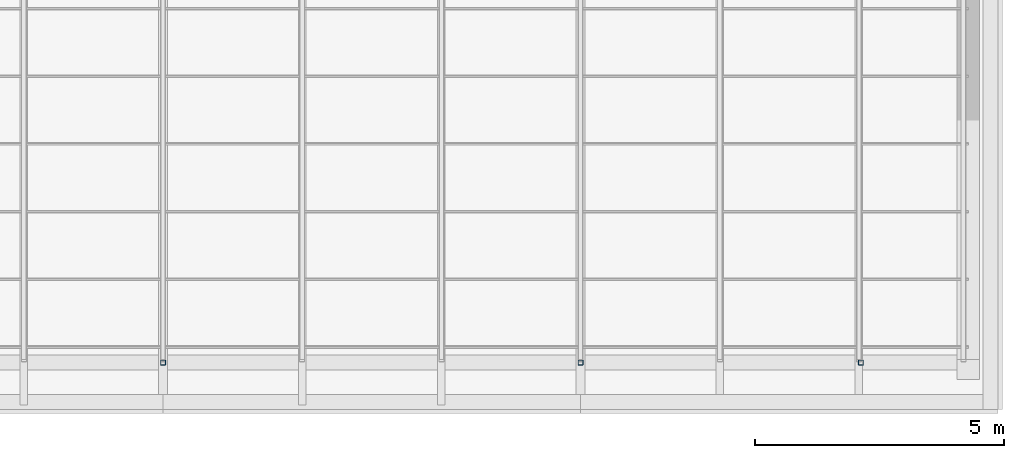
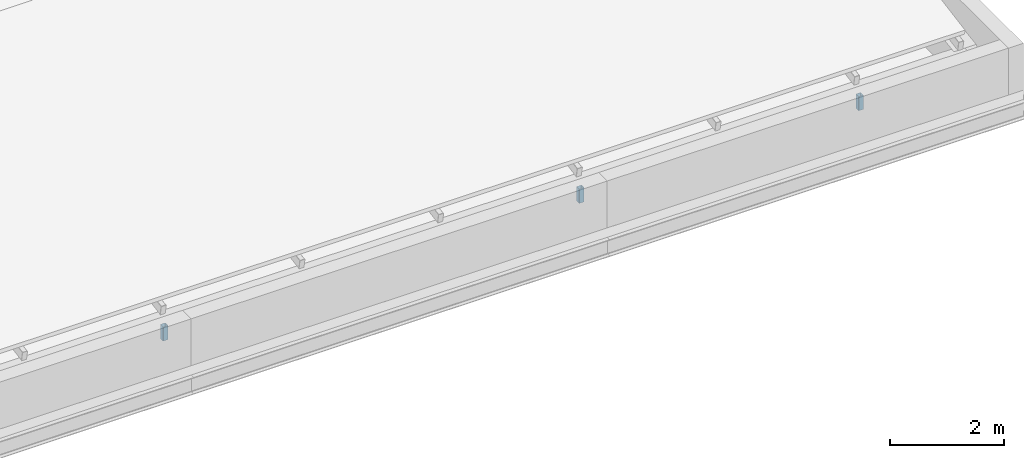
# One storey, part 22 of 42: 3 members.
"""IFC4 building model written with IfcOpenShell, lengths in metres."""

from ifc_helpers import new_model, si_unit, direction, frame, origin, origin_2d, place, context, subcontext, project, spatial, hollow_rectangle, extrude, material, material_profile, profile_set, type_object, element, save


model = new_model("IFC4")

# Units and contexts
model_context = context("Model", 3, precision=1e-05, world=origin(), true_north=direction((0.0, 1.0)))
body_context = subcontext(model_context, "Body", "Model", "MODEL_VIEW")
ifc_project = project(units=[si_unit("LENGTHUNIT", "METRE"), si_unit("AREAUNIT", "SQUARE_METRE"), si_unit("VOLUMEUNIT", "CUBIC_METRE"), si_unit("PLANEANGLEUNIT", "RADIAN"), si_unit("MASSUNIT", "GRAM", prefix="KILO")], contexts=[model_context])

# Site, building, storey
site_placement = place(None, origin())
site = spatial("IfcSite", under=ifc_project, at=site_placement, CompositionType="ELEMENT")
building_placement = place(site_placement, origin())
building = spatial("IfcBuilding", under=site, at=building_placement, Name="Ardhachandra Cancer Care Centre", CompositionType="ELEMENT")
storey_placement = place(building_placement, frame((0.0, 0.0, 22.5)))
storey = spatial("IfcBuildingStorey", under=building, at=storey_placement, Name="L05", CompositionType="ELEMENT", Elevation=22.5)

# Members
ifc_material = material(Name="Steel E350 (IS 2062)", Category="steel")
ifc_material_profile = material_profile(ifc_material, hollow_rectangle(XDim=0.10009765625, YDim=0.10009765625, WallThickness=0.0048828125, InnerFilletRadius=0.0048828125, OuterFilletRadius=0.010009765625, at=origin_2d()), Name="SHS 100x100x5.0")
ifc_profile_set = profile_set([ifc_material_profile], Name="Steel E350 (IS 2062)")
member_type = type_object("IfcMemberType", Name="Sawtooth ridge post SHS 100x100x5.0", PredefinedType="POST", material=ifc_profile_set)
for number, where, z_axis, x_axis, name in (
    (1, (27.60009765625, 72.340087890625, 0.0), (0.0, 0.0, 1.0), (1.0, 0.0, 0.0), "Gutter cradle NT1a.2"),
    (2, (36.0, 72.340087890625, 0.0), (0.0, 0.0, 1.0), (1.0, 0.0, 0.0), "Gutter cradle NT1a.3"),
    (3, (41.639892578125, 72.340087890625, 0.0), (0.0, 0.0, 1.0), (1.0, 0.0, 0.0), "Gutter cradle NT1a.4"),
):
    element("IfcMember", number, at=place(storey_placement, frame(where, z_axis=z_axis, x_axis=x_axis)), inside=storey, type_object=member_type, Name=name, PredefinedType="POST", context=body_context, shape_type="SweptSolid", body=[
        extrude(hollow_rectangle(XDim=0.10009765625, YDim=0.10009765625, WallThickness=0.0048828125, InnerFilletRadius=0.0048828125, OuterFilletRadius=0.010009765625, at=origin_2d()), origin(), (0.0, 0.0, 1.0), 0.300048828125),
    ])

save(model, "model.ifc")
